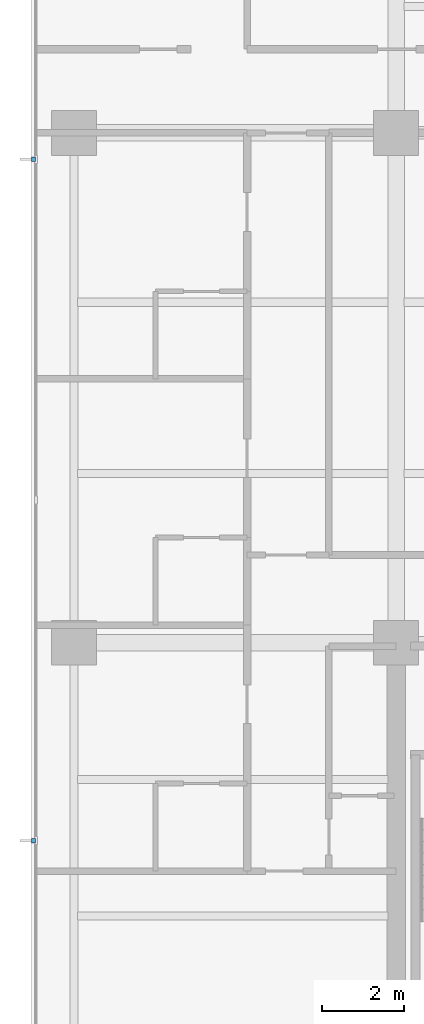
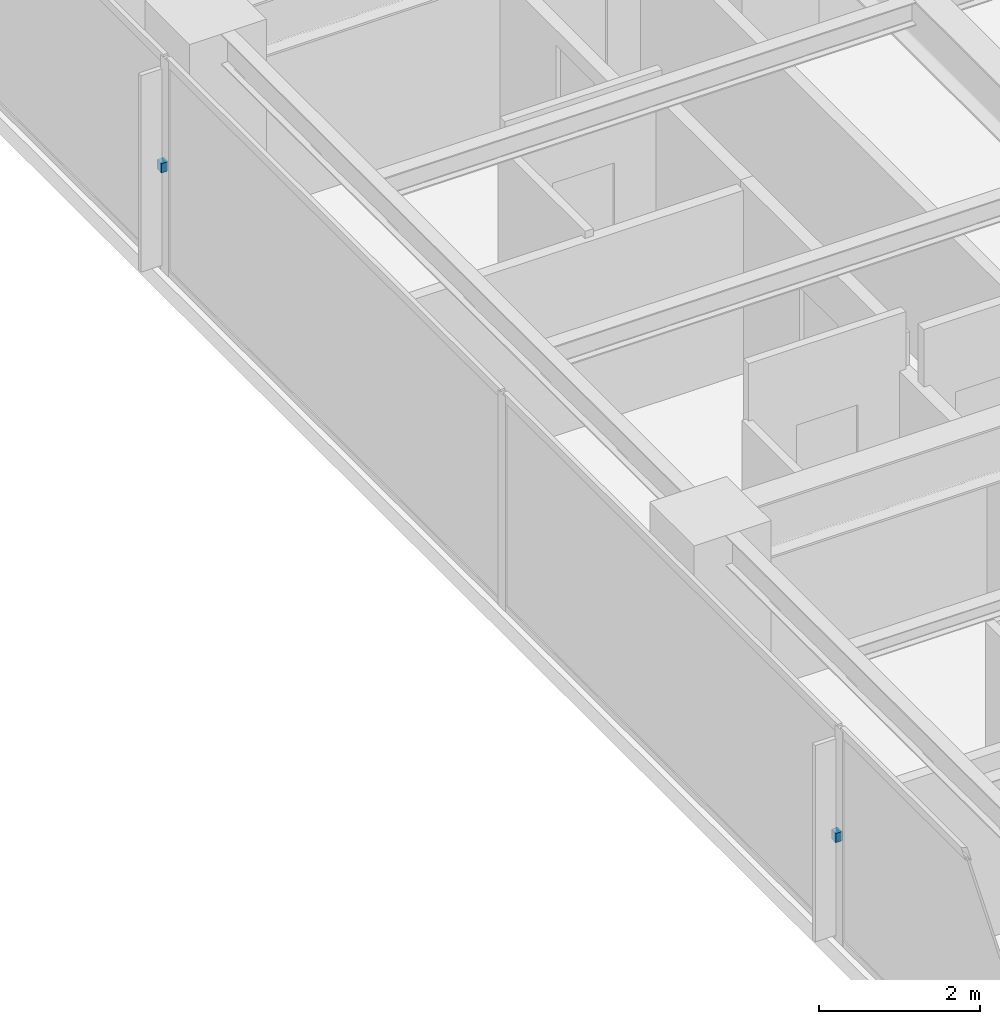
# One storey, part 11 of 14: 2 discrete accessories.
"""IFC4 building model written with IfcOpenShell, lengths in metres."""

from ifc_helpers import new_model, si_unit, direction, frame, origin, place, context, subcontext, project, spatial, polyline, outline, extrude, material, type_object, element, save


model = new_model("IFC4")

# Units and contexts
model_context = context("Model", 3, precision=1e-05, world=origin(), true_north=direction((0.0, 1.0)))
body_context = subcontext(model_context, "Body", "Model", "MODEL_VIEW")
ifc_project = project(units=[si_unit("LENGTHUNIT", "METRE"), si_unit("AREAUNIT", "SQUARE_METRE"), si_unit("VOLUMEUNIT", "CUBIC_METRE"), si_unit("PLANEANGLEUNIT", "RADIAN"), si_unit("MASSUNIT", "GRAM", prefix="KILO")], contexts=[model_context])

# Site, building, storey
site_placement = place(None, origin())
site = spatial("IfcSite", under=ifc_project, at=site_placement, CompositionType="ELEMENT")
building_placement = place(site_placement, origin())
building = spatial("IfcBuilding", under=site, at=building_placement, Name="Qalmaran Belvedere Hotel", CompositionType="ELEMENT")
storey_placement = place(building_placement, frame((0.0, 0.0, 156.10009765625)))
storey = spatial("IfcBuildingStorey", under=building, at=storey_placement, Name="L39", CompositionType="ELEMENT", Elevation=156.10009765625)

# Discrete accessories
ifc_material = material(Name="Stainless Steel 1.4401", Category="steel")
discrete_accessory_type = type_object("IfcDiscreteAccessoryType", Name="BRK-FIN-SS316", PredefinedType="BRACKET", material=ifc_material)
discrete_accessory_1_placement = place(storey_placement, frame((0.0, 0.0, 1.574951171875)))
element("IfcDiscreteAccessory", 1, at=discrete_accessory_1_placement, inside=storey, type_object=discrete_accessory_type, Name="L39 Fin Bracket 1", PredefinedType="BRACKET", context=body_context, shape_type="SweptSolid", body=[
    extrude(outline(polyline([(11.455078125, 32.405029296875), (11.360107421875, 32.405029296875), (11.360107421875, 32.294921875), (11.455078125, 32.294921875), (11.455078125, 32.405029296875)])), origin(), (0.0, 0.0, 1.0), 0.139892578125),
])
discrete_accessory_2_placement = place(storey_placement, frame((0.0, 0.0, 1.574951171875)))
element("IfcDiscreteAccessory", 2, at=discrete_accessory_2_placement, inside=storey, type_object=discrete_accessory_type, Name="L39 Fin Bracket 3", PredefinedType="BRACKET", context=body_context, shape_type="SweptSolid", body=[
    extrude(outline(polyline([(11.455078125, 15.705078125), (11.360107421875, 15.705078125), (11.360107421875, 15.594970703125), (11.455078125, 15.594970703125), (11.455078125, 15.705078125)])), origin(), (0.0, 0.0, 1.0), 0.139892578125),
])

save(model, "model.ifc")
